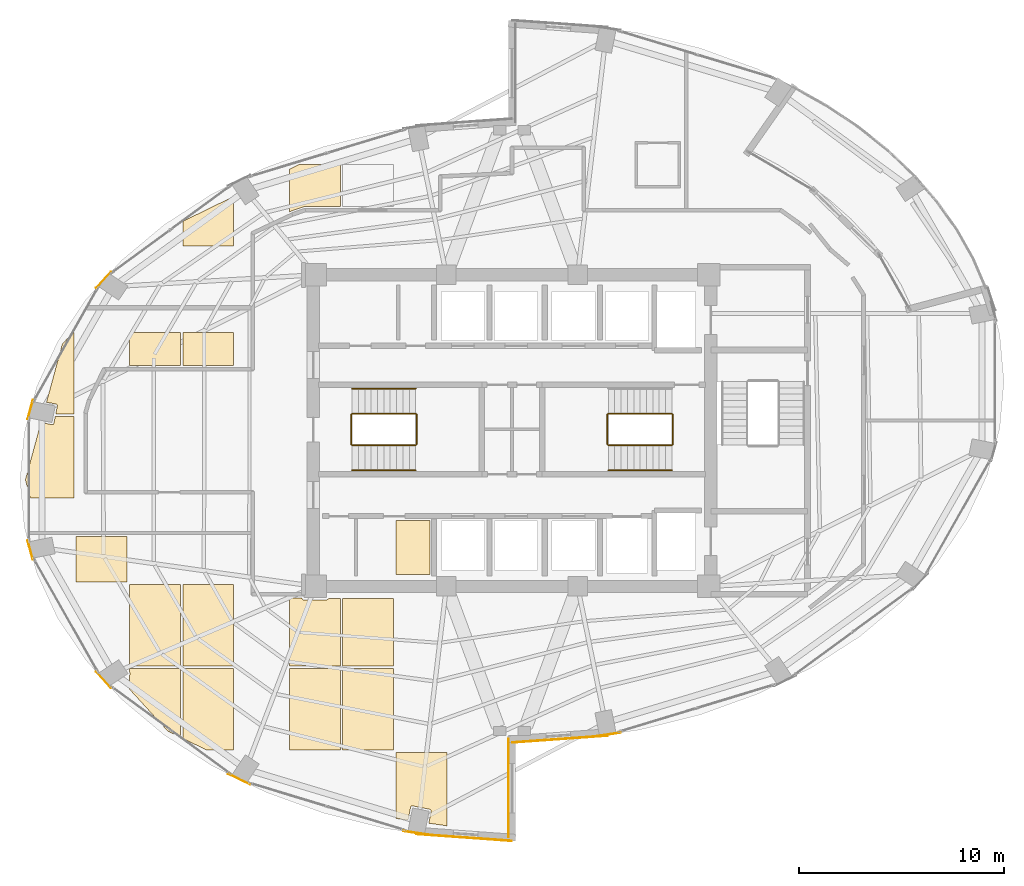
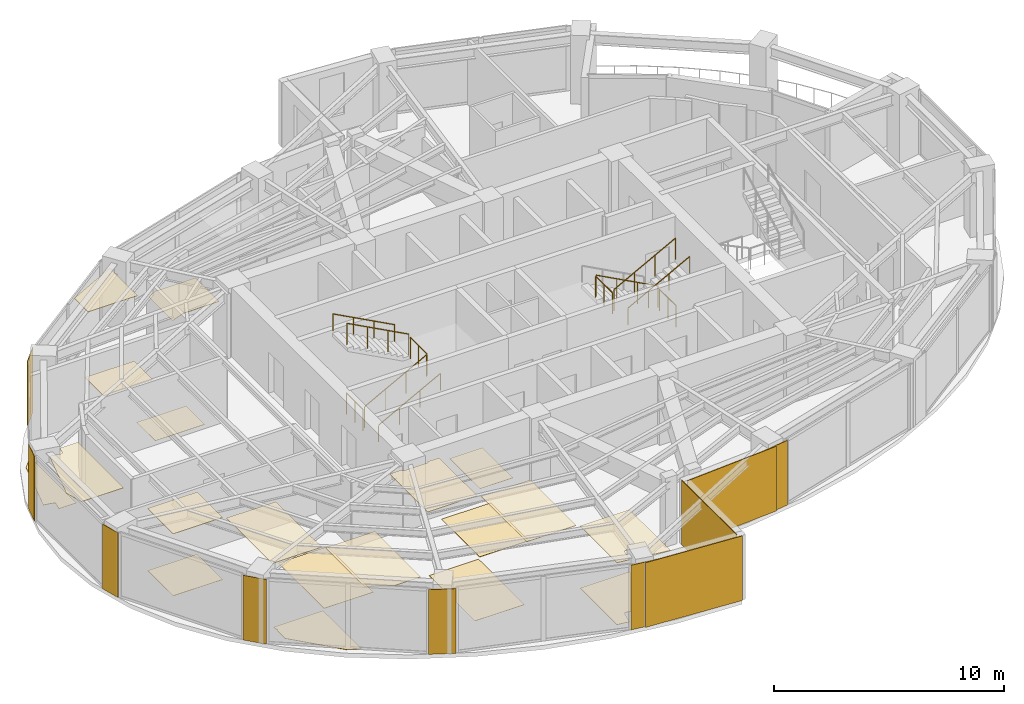
# One storey, part 18 of 19: 29 coverings, 11 railings.
"""IFC4 building model written with IfcOpenShell, lengths in metres."""

from ifc_helpers import new_model, si_unit, direction, frame, origin, origin_2d, place, context, subcontext, project, spatial, polyline, rectangle, circle, outline, extrude, material, layer, layer_set, type_object, element, save


model = new_model("IFC4")

# Units and contexts
model_context = context("Model", 3, precision=1e-05, world=origin(), true_north=direction((0.0, 1.0)))
body_context = subcontext(model_context, "Body", "Model", "MODEL_VIEW")
ifc_project = project(units=[si_unit("LENGTHUNIT", "METRE"), si_unit("AREAUNIT", "SQUARE_METRE"), si_unit("VOLUMEUNIT", "CUBIC_METRE"), si_unit("PLANEANGLEUNIT", "RADIAN"), si_unit("MASSUNIT", "GRAM", prefix="KILO")], contexts=[model_context])

# Site, building, storey
site_placement = place(None, origin())
site = spatial("IfcSite", under=ifc_project, at=site_placement, CompositionType="ELEMENT")
building_placement = place(site_placement, origin())
building = spatial("IfcBuilding", under=site, at=building_placement, Name="Lazwardi Medical Tower", CompositionType="ELEMENT")
storey_placement = place(building_placement, frame((0.0, 0.0, 163.823974609375)))
storey = spatial("IfcBuildingStorey", under=building, at=storey_placement, Name="L42", CompositionType="ELEMENT", Elevation=163.823974609375)

# Coverings
ifc_material_1 = material(Name="Anodised bronze aluminium cassette cladding", Category="aluminium")
ifc_layer_1 = layer(ifc_material_1, 0.030029296875)
ifc_layer_set_1 = layer_set([ifc_layer_1], Name="Anodised bronze aluminium cassette cladding")
covering_type_1 = type_object("IfcCoveringType", Name="COV-CLD-BRZ", PredefinedType="CLADDING", material=ifc_layer_set_1)
covering_1_placement = place(storey_placement, frame((40.67431640625, 13.17578125, 0.0), z_axis=(0.0, 0.0, 1.0), x_axis=(0.989539138138, 0.144264666823, 0.0)))
element("IfcCovering", 1, at=covering_1_placement, inside=storey, type_object=covering_type_1, Name="L42 Mega-column bronze cassette cover M01", PredefinedType="CLADDING", context=body_context, shape_type="SweptSolid", body=[
    extrude(rectangle(XDim=1.28515625, YDim=0.030029296875, at=origin_2d()), origin(), (0.0, 0.0, 1.0), 3.427978515625),
])
covering_2_placement = place(storey_placement, frame((16.07861328125, 35.356689453125, 0.0), z_axis=(0.0, 0.0, 1.0), x_axis=(-0.673714459537, -0.738991763832, 0.0)))
element("IfcCovering", 2, at=covering_2_placement, inside=storey, type_object=covering_type_1, Name="L42 Mega-column bronze cassette cover M11", PredefinedType="CLADDING", context=body_context, shape_type="SweptSolid", body=[
    extrude(rectangle(XDim=1.0693359375, YDim=0.030029296875, at=origin_2d()), origin(), (0.0, 0.0, 1.0), 3.427978515625),
])
for number, where, z_axis, x_axis, name in (
    (3, (12.501220703125, 29.026123046875, 0.0), (0.0, 0.0, 1.0), (-0.261828726257, -0.965114354938, 0.0), "L42 Mega-column bronze cassette cover M12"),
    (4, (12.501220703125, 22.173828125, 0.0), (0.0, 0.0, 1.0), (0.261828726257, -0.965114354938, 0.0), "L42 Mega-column bronze cassette cover M13"),
):
    element("IfcCovering", number, at=place(storey_placement, frame(where, z_axis=z_axis, x_axis=x_axis)), inside=storey, type_object=covering_type_1, Name=name, PredefinedType="CLADDING", context=body_context, shape_type="SweptSolid", body=[
        extrude(rectangle(XDim=0.9658203125, YDim=0.030029296875, at=origin_2d()), origin(), (0.0, 0.0, 1.0), 3.427978515625),
    ])
covering_3_placement = place(storey_placement, frame((16.07861328125, 15.84326171875, 0.0), z_axis=(0.0, 0.0, 1.0), x_axis=(0.673714459537, -0.738991763832, 0.0)))
element("IfcCovering", 5, at=covering_3_placement, inside=storey, type_object=covering_type_1, Name="L42 Mega-column bronze cassette cover M14", PredefinedType="CLADDING", context=body_context, shape_type="SweptSolid", body=[
    extrude(rectangle(XDim=1.0693359375, YDim=0.030029296875, at=origin_2d()), origin(), (0.0, 0.0, 1.0), 3.427978515625),
])
covering_4_placement = place(storey_placement, frame((22.68896484375, 10.998046875, 0.0), z_axis=(0.0, 0.0, 1.0), x_axis=(0.898079014814, -0.439834154144, 0.0)))
element("IfcCovering", 6, at=covering_4_placement, inside=storey, type_object=covering_type_1, Name="L42 Mega-column bronze cassette cover M15", PredefinedType="CLADDING", context=body_context, shape_type="SweptSolid", body=[
    extrude(rectangle(XDim=1.200439453125, YDim=0.030029296875, at=origin_2d()), origin(), (0.0, 0.0, 1.0), 3.427978515625),
])
covering_5_placement = place(storey_placement, frame((31.32568359375, 8.3759765625, 0.0), z_axis=(0.0, 0.0, 1.0), x_axis=(0.989539138138, -0.144264666823, 0.0)))
element("IfcCovering", 7, at=covering_5_placement, inside=storey, type_object=covering_type_1, Name="L42 Mega-column bronze cassette cover M16", PredefinedType="CLADDING", context=body_context, shape_type="SweptSolid", body=[
    extrude(rectangle(XDim=1.28515625, YDim=0.030029296875, at=origin_2d()), origin(), (0.0, 0.0, 1.0), 3.427978515625),
])
ifc_material_2 = material(Name="Turquoise glazed ceramic tilework cladding", Category="masonry")
ifc_layer_2 = layer(ifc_material_2, 0.034912109375)
ifc_layer_set_2 = layer_set([ifc_layer_2], Name="Turquoise glazed ceramic tilework cladding")
covering_type_2 = type_object("IfcCoveringType", Name="COV-CLD-TRQ", PredefinedType="CLADDING", material=ifc_layer_set_2)
covering_6_placement = place(storey_placement, frame((38.338134765625, 12.952392578125, 0.0), z_axis=(0.0, 0.0, 1.0), x_axis=(0.997414510753, 0.071863020663, 0.0)))
element("IfcCovering", 8, at=covering_6_placement, inside=storey, type_object=covering_type_2, Name="L42 Turquoise glazed ceramic tilework cladding", PredefinedType="CLADDING", context=body_context, shape_type="SweptSolid", body=[
    extrude(rectangle(XDim=4.6630859375, YDim=0.034912109375, at=origin_2d()), origin(), (0.0, 0.0, 1.0), 3.427978515625),
])
covering_7_placement = place(storey_placement, frame((33.66162109375, 8.152587890625, 0.0), z_axis=(0.0, 0.0, 1.0), x_axis=(0.997414134466, -0.071868243112, 0.0)))
element("IfcCovering", 9, at=covering_7_placement, inside=storey, type_object=covering_type_2, Name="L42 Turquoise glazed ceramic tilework cladding", PredefinedType="CLADDING", context=body_context, shape_type="SweptSolid", body=[
    extrude(rectangle(XDim=4.66259765625, YDim=0.034912109375, at=origin_2d()), origin(), (0.0, 0.0, 1.0), 3.427978515625),
])
covering_8_placement = place(storey_placement, frame((35.824462890625, 10.56005859375, 0.0), z_axis=(0.0, 0.0, 1.0), x_axis=(0.0, 1.0, 0.0)))
element("IfcCovering", 10, at=covering_8_placement, inside=storey, type_object=covering_type_2, Name="L42 Turquoise glazed ceramic tilework iwan panel", PredefinedType="CLADDING", context=body_context, shape_type="SweptSolid", body=[
    extrude(rectangle(XDim=4.800048828125, YDim=0.034912109375, at=origin_2d()), origin(), (0.0, 0.0, 1.0), 3.427978515625),
])
ifc_material_3 = material(Name="Acoustic mineral fibre tile")
ifc_layer_3 = layer(ifc_material_3, 0.02490234375)
ifc_layer_set_3 = layer_set([ifc_layer_3], Name="Acoustic mineral fibre tile")
covering_type_3 = type_object("IfcCoveringType", Name="COV-CLG-01", PredefinedType="CEILING", material=ifc_layer_set_3)
covering_9_placement = place(storey_placement, frame((0.0, 0.0, 3.282958984375)))
element("IfcCovering", 11, at=covering_9_placement, inside=storey, type_object=covering_type_3, Name="L42 Clinical Acoustic Ceiling 1", PredefinedType="CEILING", context=body_context, shape_type="SweptSolid", body=[
    extrude(outline(polyline([(13.71875, 28.6923828125), (13.65234375, 28.3583984375), (13.650390625, 28.3505859375), (13.647705078125, 28.34326171875), (13.644287109375, 28.336181640625), (13.640380859375, 28.32958984375), (13.635498046875, 28.322998046875), (13.63037109375, 28.3173828125), (13.62451171875, 28.31201171875), (13.6181640625, 28.307373046875), (13.611572265625, 28.30322265625), (13.6044921875, 28.300048828125), (13.596923828125, 28.29736328125), (13.58935546875, 28.29541015625), (13.58154296875, 28.294189453125), (13.57373046875, 28.2939453125), (13.56591796875, 28.294189453125), (13.55810546875, 28.29541015625), (13.02490234375, 28.401611328125), (12.262939453125, 25.60009765625), (12.50439453125, 24.71240234375), (14.622802734375, 24.71240234375), (14.622802734375, 28.6923828125), (13.71875, 28.6923828125)])), origin(), (0.0, 0.0, 1.0), 0.025146484375),
])
covering_10_placement = place(storey_placement, frame((0.0, 0.0, 3.282958984375)))
element("IfcCovering", 12, at=covering_10_placement, inside=storey, type_object=covering_type_3, Name="L42 Clinical Acoustic Ceiling 2", PredefinedType="CEILING", context=body_context, shape_type="SweptSolid", body=[
    extrude(outline(polyline([(17.222900390625, 22.8349609375), (14.742919921875, 22.8349609375), (14.742919921875, 20.612548828125), (17.222900390625, 20.612548828125), (17.222900390625, 22.8349609375)])), origin(), (0.0, 0.0, 1.0), 0.025146484375),
])
covering_11_placement = place(storey_placement, frame((0.0, 0.0, 3.282958984375)))
element("IfcCovering", 13, at=covering_11_placement, inside=storey, type_object=covering_type_3, Name="L42 Clinical Acoustic Ceiling 3", PredefinedType="CEILING", context=body_context, shape_type="SweptSolid", body=[
    extrude(outline(polyline([(19.822998046875, 16.512451171875), (19.822998046875, 20.492431640625), (17.343017578125, 20.492431640625), (17.343017578125, 16.512451171875), (19.822998046875, 16.512451171875)])), origin(), (0.0, 0.0, 1.0), 0.025146484375),
])
covering_12_placement = place(storey_placement, frame((0.0, 0.0, 3.282958984375)))
element("IfcCovering", 14, at=covering_12_placement, inside=storey, type_object=covering_type_3, Name="L42 Clinical Acoustic Ceiling 4", PredefinedType="CEILING", context=body_context, shape_type="SweptSolid", body=[
    extrude(outline(polyline([(17.343017578125, 31.175048828125), (19.822998046875, 31.175048828125), (19.822998046875, 32.79248046875), (17.343017578125, 32.79248046875), (17.343017578125, 31.175048828125)])), origin(), (0.0, 0.0, 1.0), 0.025146484375),
])
covering_13_placement = place(storey_placement, frame((0.0, 0.0, 3.282958984375)))
element("IfcCovering", 15, at=covering_13_placement, inside=storey, type_object=covering_type_3, Name="L42 Clinical Acoustic Ceiling 5", PredefinedType="CEILING", context=body_context, shape_type="SweptSolid", body=[
    extrude(outline(polyline([(19.94287109375, 12.987060546875), (21.118896484375, 12.41259765625), (22.4228515625, 12.41259765625), (22.4228515625, 16.392578125), (19.94287109375, 16.392578125), (19.94287109375, 12.987060546875)])), origin(), (0.0, 0.0, 1.0), 0.025146484375),
])
covering_14_placement = place(storey_placement, frame((0.0, 0.0, 3.282958984375)))
element("IfcCovering", 16, at=covering_14_placement, inside=storey, type_object=covering_type_3, Name="L42 Clinical Acoustic Ceiling 6", PredefinedType="CEILING", context=body_context, shape_type="SweptSolid", body=[
    extrude(outline(polyline([(22.4228515625, 39.4248046875), (19.94287109375, 38.212890625), (19.94287109375, 37.012451171875), (22.4228515625, 37.012451171875), (22.4228515625, 39.4248046875)])), origin(), (0.0, 0.0, 1.0), 0.025146484375),
])
covering_15_placement = place(storey_placement, frame((0.0, 0.0, 3.282958984375)))
element("IfcCovering", 17, at=covering_15_placement, inside=storey, type_object=covering_type_3, Name="L42 Clinical Acoustic Ceiling 7", PredefinedType="CEILING", context=body_context, shape_type="SweptSolid", body=[
    extrude(outline(polyline([(27.622802734375, 19.820068359375), (27.04931640625, 19.820068359375), (27.048583984375, 19.814453125), (27.046630859375, 19.806884765625), (27.0439453125, 19.79931640625), (27.04052734375, 19.792236328125), (27.03662109375, 19.78564453125), (27.03173828125, 19.779296875), (27.026611328125, 19.7734375), (27.020751953125, 19.768310546875), (27.014404296875, 19.763427734375), (27.0078125, 19.759521484375), (27.00048828125, 19.756103515625), (26.9931640625, 19.75341796875), (26.985595703125, 19.75146484375), (26.977783203125, 19.75048828125), (26.969970703125, 19.75), (25.830078125, 19.75), (25.822265625, 19.75048828125), (25.814453125, 19.75146484375), (25.806884765625, 19.75341796875), (25.79931640625, 19.756103515625), (25.792236328125, 19.759521484375), (25.78564453125, 19.763427734375), (25.779296875, 19.768310546875), (25.7734375, 19.7734375), (25.768310546875, 19.779296875), (25.763427734375, 19.78564453125), (25.759521484375, 19.792236328125), (25.756103515625, 19.79931640625), (25.75341796875, 19.806884765625), (25.75146484375, 19.814453125), (25.75048828125, 19.822265625), (25.75, 19.830078125), (25.75, 19.844970703125), (25.142822265625, 19.844970703125), (25.142822265625, 16.512451171875), (27.622802734375, 16.512451171875), (27.622802734375, 19.820068359375)])), origin(), (0.0, 0.0, 1.0), 0.025146484375),
])
covering_16_placement = place(storey_placement, frame((0.0, 0.0, 3.282958984375)))
element("IfcCovering", 18, at=covering_16_placement, inside=storey, type_object=covering_type_3, Name="L42 Clinical Acoustic Ceiling 8", PredefinedType="CEILING", context=body_context, shape_type="SweptSolid", body=[
    extrude(outline(polyline([(30.222900390625, 12.41259765625), (30.222900390625, 16.392578125), (27.742919921875, 16.392578125), (27.742919921875, 12.41259765625), (30.222900390625, 12.41259765625)])), origin(), (0.0, 0.0, 1.0), 0.025146484375),
])
covering_17_placement = place(storey_placement, frame((0.0, 0.0, 3.282958984375)))
element("IfcCovering", 19, at=covering_17_placement, inside=storey, type_object=covering_type_3, Name="L42 Clinical Acoustic Ceiling 10", PredefinedType="CEILING", context=body_context, shape_type="SweptSolid", body=[
    extrude(outline(polyline([(30.343017578125, 9.083740234375), (30.92919921875, 8.99853515625), (31.0556640625, 9.63427734375), (31.0576171875, 9.641845703125), (31.060302734375, 9.6494140625), (31.0634765625, 9.656494140625), (31.067626953125, 9.6630859375), (31.072265625, 9.66943359375), (31.077392578125, 9.67529296875), (31.083251953125, 9.680419921875), (31.089599609375, 9.685302734375), (31.096435546875, 9.689208984375), (31.103515625, 9.692626953125), (31.11083984375, 9.6953125), (31.118408203125, 9.697265625), (31.126220703125, 9.6982421875), (31.134033203125, 9.69873046875), (31.141845703125, 9.6982421875), (31.149658203125, 9.697265625), (31.9931640625, 9.529296875), (32.000732421875, 9.527587890625), (32.00830078125, 9.52490234375), (32.015380859375, 9.521484375), (32.02197265625, 9.517333984375), (32.0283203125, 9.5126953125), (32.0341796875, 9.507568359375), (32.039306640625, 9.501708984375), (32.044189453125, 9.495361328125), (32.048095703125, 9.488525390625), (32.051513671875, 9.4814453125), (32.05419921875, 9.47412109375), (32.05615234375, 9.466552734375), (32.05712890625, 9.458740234375), (32.0576171875, 9.450927734375), (32.05712890625, 9.443115234375), (32.05615234375, 9.435302734375), (31.93994140625, 8.851318359375), (32.822998046875, 8.722900390625), (32.822998046875, 12.29248046875), (30.343017578125, 12.29248046875), (30.343017578125, 9.083740234375)])), origin(), (0.0, 0.0, 1.0), 0.025146484375),
])
ifc_material_4 = material(Name="Anti-static hospital vinyl sheet flooring")
ifc_layer_4 = layer(ifc_material_4, 0.014892578125)
ifc_layer_set_4 = layer_set([ifc_layer_4], Name="Anti-static hospital vinyl sheet flooring")
covering_type_4 = type_object("IfcCoveringType", Name="COV-FLR-01", PredefinedType="FLOORING", material=ifc_layer_set_4)
covering_18_placement = place(storey_placement, origin())
element("IfcCovering", 20, at=covering_18_placement, inside=storey, type_object=covering_type_4, Name="L42 Clinical Vinyl Flooring 1", PredefinedType="FLOORING", context=body_context, shape_type="SweptSolid", body=[
    extrude(outline(polyline([(14.582275390625, 32.79248046875), (14.065185546875, 32.2265625), (13.293212890625, 29.38818359375), (13.757080078125, 29.2958984375), (13.764892578125, 29.2939453125), (13.772216796875, 29.291259765625), (13.779296875, 29.2880859375), (13.785888671875, 29.283935546875), (13.79248046875, 29.279296875), (13.798095703125, 29.27392578125), (13.803466796875, 29.268310546875), (13.80810546875, 29.26171875), (13.812255859375, 29.255126953125), (13.8154296875, 29.248046875), (13.818115234375, 29.240478515625), (13.820068359375, 29.23291015625), (13.8212890625, 29.22509765625), (13.821533203125, 29.21728515625), (13.8212890625, 29.209716796875), (13.820068359375, 29.201904296875), (13.74267578125, 28.8125), (14.622802734375, 28.8125), (14.622802734375, 32.79248046875), (14.582275390625, 32.79248046875)])), origin(), (0.0, 0.0, 1.0), 0.01513671875),
])
covering_19_placement = place(storey_placement, origin())
element("IfcCovering", 21, at=covering_19_placement, inside=storey, type_object=covering_type_4, Name="L42 Clinical Vinyl Flooring 2", PredefinedType="FLOORING", context=body_context, shape_type="SweptSolid", body=[
    extrude(outline(polyline([(17.222900390625, 22.8349609375), (14.742919921875, 22.8349609375), (14.742919921875, 20.612548828125), (17.222900390625, 20.612548828125), (17.222900390625, 22.8349609375)])), origin(), (0.0, 0.0, 1.0), 0.01513671875),
])
covering_20_placement = place(storey_placement, origin())
element("IfcCovering", 22, at=covering_20_placement, inside=storey, type_object=covering_type_4, Name="L42 Clinical Vinyl Flooring 3", PredefinedType="FLOORING", context=body_context, shape_type="SweptSolid", body=[
    extrude(outline(polyline([(17.343017578125, 16.218994140625), (17.364501953125, 16.1865234375), (17.36865234375, 16.179931640625), (17.371826171875, 16.1728515625), (17.37451171875, 16.165283203125), (17.37646484375, 16.15771484375), (17.377685546875, 16.14990234375), (17.3779296875, 16.14208984375), (17.377685546875, 16.134521484375), (17.37646484375, 16.126708984375), (17.37451171875, 16.118896484375), (17.371826171875, 16.111572265625), (17.36865234375, 16.1044921875), (17.364501953125, 16.097900390625), (17.35986328125, 16.091552734375), (17.3544921875, 16.085693359375), (17.348876953125, 16.080322265625), (17.343017578125, 16.075927734375), (17.343017578125, 15.385986328125), (19.20556640625, 13.347412109375), (19.822998046875, 13.045654296875), (19.822998046875, 16.392578125), (17.343017578125, 16.392578125), (17.343017578125, 16.218994140625)])), origin(), (0.0, 0.0, 1.0), 0.01513671875),
])
covering_21_placement = place(storey_placement, origin())
element("IfcCovering", 23, at=covering_21_placement, inside=storey, type_object=covering_type_4, Name="L42 Clinical Vinyl Flooring 4", PredefinedType="FLOORING", context=body_context, shape_type="SweptSolid", body=[
    extrude(outline(polyline([(22.4228515625, 16.512451171875), (22.4228515625, 20.492431640625), (19.94287109375, 20.492431640625), (19.94287109375, 16.512451171875), (22.4228515625, 16.512451171875)])), origin(), (0.0, 0.0, 1.0), 0.01513671875),
])
covering_22_placement = place(storey_placement, origin())
element("IfcCovering", 24, at=covering_22_placement, inside=storey, type_object=covering_type_4, Name="L42 Clinical Vinyl Flooring 5", PredefinedType="FLOORING", context=body_context, shape_type="SweptSolid", body=[
    extrude(outline(polyline([(19.94287109375, 31.175048828125), (22.4228515625, 31.175048828125), (22.4228515625, 32.79248046875), (19.94287109375, 32.79248046875), (19.94287109375, 31.175048828125)])), origin(), (0.0, 0.0, 1.0), 0.01513671875),
])
covering_23_placement = place(storey_placement, origin())
element("IfcCovering", 25, at=covering_23_placement, inside=storey, type_object=covering_type_4, Name="L42 Clinical Vinyl Flooring 6", PredefinedType="FLOORING", context=body_context, shape_type="SweptSolid", body=[
    extrude(outline(polyline([(27.622802734375, 12.41259765625), (27.622802734375, 16.392578125), (25.142822265625, 16.392578125), (25.142822265625, 12.41259765625), (27.622802734375, 12.41259765625)])), origin(), (0.0, 0.0, 1.0), 0.01513671875),
])
covering_24_placement = place(storey_placement, origin())
element("IfcCovering", 26, at=covering_24_placement, inside=storey, type_object=covering_type_4, Name="L42 Clinical Vinyl Flooring 7", PredefinedType="FLOORING", context=body_context, shape_type="SweptSolid", body=[
    extrude(outline(polyline([(25.631103515625, 40.992431640625), (25.142822265625, 40.75390625), (25.142822265625, 38.666015625), (25.245849609375, 38.714111328125), (25.24951171875, 38.7158203125), (25.2587890625, 38.719482421875), (25.262939453125, 38.72119140625), (25.825439453125, 38.915283203125), (25.82958984375, 38.916748046875), (25.83984375, 38.919677734375), (25.848876953125, 38.921630859375), (25.859130859375, 38.92333984375), (25.867431640625, 38.92431640625), (25.8779296875, 38.9248046875), (25.882568359375, 38.925048828125), (27.622802734375, 38.925048828125), (27.622802734375, 40.992431640625), (25.631103515625, 40.992431640625)])), origin(), (0.0, 0.0, 1.0), 0.01513671875),
])
covering_25_placement = place(storey_placement, origin())
element("IfcCovering", 27, at=covering_25_placement, inside=storey, type_object=covering_type_4, Name="L42 Clinical Vinyl Flooring 8", PredefinedType="FLOORING", context=body_context, shape_type="SweptSolid", body=[
    extrude(outline(polyline([(30.222900390625, 19.820068359375), (27.742919921875, 19.820068359375), (27.742919921875, 16.512451171875), (30.222900390625, 16.512451171875), (30.222900390625, 19.820068359375)])), origin(), (0.0, 0.0, 1.0), 0.01513671875),
])
covering_26_placement = place(storey_placement, origin())
element("IfcCovering", 28, at=covering_26_placement, inside=storey, type_object=covering_type_4, Name="L42 Clinical Vinyl Flooring 9", PredefinedType="FLOORING", context=body_context, shape_type="SweptSolid", body=[
    extrude(outline(polyline([(30.343017578125, 9.083740234375), (30.92919921875, 8.99853515625), (31.0556640625, 9.63427734375), (31.0576171875, 9.641845703125), (31.060302734375, 9.6494140625), (31.0634765625, 9.656494140625), (31.067626953125, 9.6630859375), (31.072265625, 9.66943359375), (31.077392578125, 9.67529296875), (31.083251953125, 9.680419921875), (31.089599609375, 9.685302734375), (31.096435546875, 9.689208984375), (31.103515625, 9.692626953125), (31.11083984375, 9.6953125), (31.118408203125, 9.697265625), (31.126220703125, 9.6982421875), (31.134033203125, 9.69873046875), (31.141845703125, 9.6982421875), (31.149658203125, 9.697265625), (31.9931640625, 9.529296875), (32.000732421875, 9.527587890625), (32.00830078125, 9.52490234375), (32.015380859375, 9.521484375), (32.02197265625, 9.517333984375), (32.0283203125, 9.5126953125), (32.0341796875, 9.507568359375), (32.039306640625, 9.501708984375), (32.044189453125, 9.495361328125), (32.048095703125, 9.488525390625), (32.051513671875, 9.4814453125), (32.05419921875, 9.47412109375), (32.05615234375, 9.466552734375), (32.05712890625, 9.458740234375), (32.0576171875, 9.450927734375), (32.05712890625, 9.443115234375), (32.05615234375, 9.435302734375), (31.93994140625, 8.851318359375), (32.822998046875, 8.722900390625), (32.822998046875, 12.29248046875), (30.343017578125, 12.29248046875), (30.343017578125, 9.083740234375)])), origin(), (0.0, 0.0, 1.0), 0.01513671875),
])
covering_27_placement = place(storey_placement, origin())
element("IfcCovering", 29, at=covering_27_placement, inside=storey, type_object=covering_type_4, Name="L42 Clinical Vinyl Flooring 10", PredefinedType="FLOORING", context=body_context, shape_type="SweptSolid", body=[
    extrude(outline(polyline([(30.343017578125, 20.97998046875), (31.989990234375, 20.97998046875), (31.989990234375, 23.6201171875), (30.343017578125, 23.6201171875), (30.343017578125, 20.97998046875)])), origin(), (0.0, 0.0, 1.0), 0.01513671875),
])

# Railings
ifc_material_5 = material(Name="Stainless steel Grade 316", Category="steel")
railing_type_1 = type_object("IfcRailingType", Name="RLG-GRD-1150", PredefinedType="GUARDRAIL", material=ifc_material_5)
railing_1_placement = place(storey_placement, frame((28.199951171875, 27.2900390625, 0.165771484375)))
element("IfcRailing", 30, at=railing_1_placement, inside=storey, type_object=railing_type_1, Name="L42 ST1 stair guard 1", PredefinedType="GUARDRAIL", context=body_context, shape_type="SweptSolid", body=[
    extrude(circle(Radius=0.02392578125, at=origin_2d()), frame((0.0, 0.0, 1.1259765625), z_axis=(0.881783298633, 0.0, 0.471654761719), x_axis=(0.0, 1.0, 0.0)), (0.0, 0.0, 1.0), 3.515625),
    extrude(circle(Radius=0.02099609375, at=origin_2d()), origin(), (0.0, 0.0, 1.0), 1.099853515625),
    extrude(circle(Radius=0.02099609375, at=origin_2d()), frame((1.033447265625, 0.0, 0.552734375)), (0.0, 0.0, 1.0), 1.099853515625),
    extrude(circle(Radius=0.02099609375, at=origin_2d()), frame((2.066650390625, 0.0, 1.10546875)), (0.0, 0.0, 1.0), 1.099853515625),
    extrude(circle(Radius=0.02099609375, at=origin_2d()), frame((3.10009765625, 0.0, 1.658203125)), (0.0, 0.0, 1.0), 1.099853515625),
])
railing_2_placement = place(storey_placement, frame((31.35009765625, 27.340087890625, 1.823974609375)))
element("IfcRailing", 31, at=railing_2_placement, inside=storey, type_object=railing_type_1, Name="L42 ST1 stair guard 2", PredefinedType="GUARDRAIL", context=body_context, shape_type="SweptSolid", body=[
    extrude(circle(Radius=0.02392578125, at=origin_2d()), frame((0.0, 0.0, 1.1259765625), z_axis=(0.0, 1.0, 0.0), x_axis=(-1.0, 0.0, 0.0)), (0.0, 0.0, 1.0), 1.43994140625),
    extrude(circle(Radius=0.02099609375, at=origin_2d()), origin(), (0.0, 0.0, 1.0), 1.099853515625),
    extrude(circle(Radius=0.02099609375, at=origin_2d()), frame((0.0, 0.719970703125, 0.0)), (0.0, 0.0, 1.0), 1.099853515625),
    extrude(circle(Radius=0.02099609375, at=origin_2d()), frame((0.0, 1.43994140625, 0.0)), (0.0, 0.0, 1.0), 1.099853515625),
])
railing_3_placement = place(storey_placement, frame((31.300048828125, 28.830078125, 1.98974609375)))
element("IfcRailing", 32, at=railing_3_placement, inside=storey, type_object=railing_type_1, Name="L42 ST1 stair guard 3", PredefinedType="GUARDRAIL", context=body_context, shape_type="SweptSolid", body=[
    extrude(circle(Radius=0.02392578125, at=origin_2d()), frame((0.0, 0.0, 1.1259765625), z_axis=(-0.881783298633, 0.0, 0.471654761719), x_axis=(0.0, -1.0, 0.0)), (0.0, 0.0, 1.0), 3.515625),
    extrude(circle(Radius=0.02099609375, at=origin_2d()), origin(), (0.0, 0.0, 1.0), 1.099853515625),
    extrude(circle(Radius=0.02099609375, at=origin_2d()), frame((-1.033447265625, 0.0, 0.552734375)), (0.0, 0.0, 1.0), 1.099853515625),
    extrude(circle(Radius=0.02099609375, at=origin_2d()), frame((-2.066650390625, 0.0, 1.10546875)), (0.0, 0.0, 1.0), 1.099853515625),
    extrude(circle(Radius=0.02099609375, at=origin_2d()), frame((-3.10009765625, 0.0, 1.658203125)), (0.0, 0.0, 1.0), 1.099853515625),
])
railing_4_placement = place(storey_placement, frame((28.14990234375, 27.340087890625, 0.0)))
element("IfcRailing", 33, at=railing_4_placement, inside=storey, type_object=railing_type_1, Name="L42 ST1 stair guard 4", PredefinedType="GUARDRAIL", context=body_context, shape_type="SweptSolid", body=[
    extrude(circle(Radius=0.02392578125, at=origin_2d()), frame((0.0, 0.0, 1.1259765625), z_axis=(0.0, 1.0, 0.0), x_axis=(-1.0, 0.0, 0.0)), (0.0, 0.0, 1.0), 1.43994140625),
    extrude(circle(Radius=0.02099609375, at=origin_2d()), origin(), (0.0, 0.0, 1.0), 1.099853515625),
    extrude(circle(Radius=0.02099609375, at=origin_2d()), frame((0.0, 0.719970703125, 0.0)), (0.0, 0.0, 1.0), 1.099853515625),
    extrude(circle(Radius=0.02099609375, at=origin_2d()), frame((0.0, 1.43994140625, 0.0)), (0.0, 0.0, 1.0), 1.099853515625),
])
railing_5_placement = place(storey_placement, frame((43.800048828125, 28.830078125, 0.165771484375)))
element("IfcRailing", 34, at=railing_5_placement, inside=storey, type_object=railing_type_1, Name="L42 ST2 stair guard 1", PredefinedType="GUARDRAIL", context=body_context, shape_type="SweptSolid", body=[
    extrude(circle(Radius=0.02392578125, at=origin_2d()), frame((0.0, 0.0, 1.1259765625), z_axis=(-0.881783298633, 0.0, 0.471654761719), x_axis=(0.0, -1.0, 0.0)), (0.0, 0.0, 1.0), 3.515625),
    extrude(circle(Radius=0.02099609375, at=origin_2d()), origin(), (0.0, 0.0, 1.0), 1.099853515625),
    extrude(circle(Radius=0.02099609375, at=origin_2d()), frame((-1.033447265625, 0.0, 0.552734375)), (0.0, 0.0, 1.0), 1.099853515625),
    extrude(circle(Radius=0.02099609375, at=origin_2d()), frame((-2.066650390625, 0.0, 1.10546875)), (0.0, 0.0, 1.0), 1.099853515625),
    extrude(circle(Radius=0.02099609375, at=origin_2d()), frame((-3.10009765625, 0.0, 1.658203125)), (0.0, 0.0, 1.0), 1.099853515625),
])
railing_6_placement = place(storey_placement, frame((40.64990234375, 28.780029296875, 1.823974609375)))
element("IfcRailing", 35, at=railing_6_placement, inside=storey, type_object=railing_type_1, Name="L42 ST2 stair guard 2", PredefinedType="GUARDRAIL", context=body_context, shape_type="SweptSolid", body=[
    extrude(circle(Radius=0.02392578125, at=origin_2d()), frame((0.0, 0.0, 1.1259765625), z_axis=(0.0, -1.0, 0.0), x_axis=(1.0, 0.0, 0.0)), (0.0, 0.0, 1.0), 1.43994140625),
    extrude(circle(Radius=0.02099609375, at=origin_2d()), origin(), (0.0, 0.0, 1.0), 1.099853515625),
    extrude(circle(Radius=0.02099609375, at=origin_2d()), frame((0.0, -0.719970703125, 0.0)), (0.0, 0.0, 1.0), 1.099853515625),
    extrude(circle(Radius=0.02099609375, at=origin_2d()), frame((0.0, -1.43994140625, 0.0)), (0.0, 0.0, 1.0), 1.099853515625),
])
railing_7_placement = place(storey_placement, frame((40.699951171875, 27.2900390625, 1.98974609375)))
element("IfcRailing", 36, at=railing_7_placement, inside=storey, type_object=railing_type_1, Name="L42 ST2 stair guard 3", PredefinedType="GUARDRAIL", context=body_context, shape_type="SweptSolid", body=[
    extrude(circle(Radius=0.02392578125, at=origin_2d()), frame((0.0, 0.0, 1.1259765625), z_axis=(0.881783298633, 0.0, 0.471654761719), x_axis=(0.0, 1.0, 0.0)), (0.0, 0.0, 1.0), 3.515625),
    extrude(circle(Radius=0.02099609375, at=origin_2d()), origin(), (0.0, 0.0, 1.0), 1.099853515625),
    extrude(circle(Radius=0.02099609375, at=origin_2d()), frame((1.033447265625, 0.0, 0.552734375)), (0.0, 0.0, 1.0), 1.099853515625),
    extrude(circle(Radius=0.02099609375, at=origin_2d()), frame((2.066650390625, 0.0, 1.10546875)), (0.0, 0.0, 1.0), 1.099853515625),
    extrude(circle(Radius=0.02099609375, at=origin_2d()), frame((3.10009765625, 0.0, 1.658203125)), (0.0, 0.0, 1.0), 1.099853515625),
])
railing_8_placement = place(storey_placement, frame((43.85009765625, 28.780029296875, 0.0)))
element("IfcRailing", 37, at=railing_8_placement, inside=storey, type_object=railing_type_1, Name="L42 ST2 stair guard 4", PredefinedType="GUARDRAIL", context=body_context, shape_type="SweptSolid", body=[
    extrude(circle(Radius=0.02392578125, at=origin_2d()), frame((0.0, 0.0, 1.1259765625), z_axis=(0.0, -1.0, 0.0), x_axis=(1.0, 0.0, 0.0)), (0.0, 0.0, 1.0), 1.43994140625),
    extrude(circle(Radius=0.02099609375, at=origin_2d()), origin(), (0.0, 0.0, 1.0), 1.099853515625),
    extrude(circle(Radius=0.02099609375, at=origin_2d()), frame((0.0, -0.719970703125, 0.0)), (0.0, 0.0, 1.0), 1.099853515625),
    extrude(circle(Radius=0.02099609375, at=origin_2d()), frame((0.0, -1.43994140625, 0.0)), (0.0, 0.0, 1.0), 1.099853515625),
])
railing_type_2 = type_object("IfcRailingType", Name="RLG-HND-920", PredefinedType="HANDRAIL", material=ifc_material_5)
railing_9_placement = place(storey_placement, frame((28.199951171875, 26.070068359375, 0.165771484375)))
element("IfcRailing", 38, at=railing_9_placement, inside=storey, type_object=railing_type_2, Name="L42 ST1 stair handrail 1", PredefinedType="HANDRAIL", context=body_context, shape_type="SweptSolid", body=[
    extrude(circle(Radius=0.02392578125, at=origin_2d()), frame((0.0, 0.0, 0.8857421875), z_axis=(0.881783298633, 0.0, 0.471654761719), x_axis=(0.0, 1.0, 0.0)), (0.0, 0.0, 1.0), 3.515625),
    extrude(circle(Radius=0.02099609375, at=origin_2d()), origin(), (0.0, 0.0, 1.0), 0.85986328125),
    extrude(circle(Radius=0.02099609375, at=origin_2d()), frame((1.033447265625, 0.0, 0.552734375)), (0.0, 0.0, 1.0), 0.85986328125),
    extrude(circle(Radius=0.02099609375, at=origin_2d()), frame((2.066650390625, 0.0, 1.10546875)), (0.0, 0.0, 1.0), 0.85986328125),
    extrude(circle(Radius=0.02099609375, at=origin_2d()), frame((3.10009765625, 0.0, 1.658203125)), (0.0, 0.0, 1.0), 0.85986328125),
])
railing_10_placement = place(storey_placement, frame((31.300048828125, 30.050048828125, 1.98974609375)))
element("IfcRailing", 39, at=railing_10_placement, inside=storey, type_object=railing_type_2, Name="L42 ST1 stair handrail 2", PredefinedType="HANDRAIL", context=body_context, shape_type="SweptSolid", body=[
    extrude(circle(Radius=0.02392578125, at=origin_2d()), frame((0.0, 0.0, 0.8857421875), z_axis=(-0.881783298633, 0.0, 0.471654761719), x_axis=(0.0, -1.0, 0.0)), (0.0, 0.0, 1.0), 3.515625),
    extrude(circle(Radius=0.02099609375, at=origin_2d()), origin(), (0.0, 0.0, 1.0), 0.85986328125),
    extrude(circle(Radius=0.02099609375, at=origin_2d()), frame((-1.033447265625, 0.0, 0.552734375)), (0.0, 0.0, 1.0), 0.85986328125),
    extrude(circle(Radius=0.02099609375, at=origin_2d()), frame((-2.066650390625, 0.0, 1.10546875)), (0.0, 0.0, 1.0), 0.85986328125),
    extrude(circle(Radius=0.02099609375, at=origin_2d()), frame((-3.10009765625, 0.0, 1.658203125)), (0.0, 0.0, 1.0), 0.85986328125),
])
railing_11_placement = place(storey_placement, frame((40.699951171875, 26.070068359375, 1.98974609375)))
element("IfcRailing", 40, at=railing_11_placement, inside=storey, type_object=railing_type_2, Name="L42 ST2 stair handrail 2", PredefinedType="HANDRAIL", context=body_context, shape_type="SweptSolid", body=[
    extrude(circle(Radius=0.02392578125, at=origin_2d()), frame((0.0, 0.0, 0.8857421875), z_axis=(0.881783298633, 0.0, 0.471654761719), x_axis=(0.0, 1.0, 0.0)), (0.0, 0.0, 1.0), 3.515625),
    extrude(circle(Radius=0.02099609375, at=origin_2d()), origin(), (0.0, 0.0, 1.0), 0.85986328125),
    extrude(circle(Radius=0.02099609375, at=origin_2d()), frame((1.033447265625, 0.0, 0.552734375)), (0.0, 0.0, 1.0), 0.85986328125),
    extrude(circle(Radius=0.02099609375, at=origin_2d()), frame((2.066650390625, 0.0, 1.10546875)), (0.0, 0.0, 1.0), 0.85986328125),
    extrude(circle(Radius=0.02099609375, at=origin_2d()), frame((3.10009765625, 0.0, 1.658203125)), (0.0, 0.0, 1.0), 0.85986328125),
])

save(model, "model.ifc")
